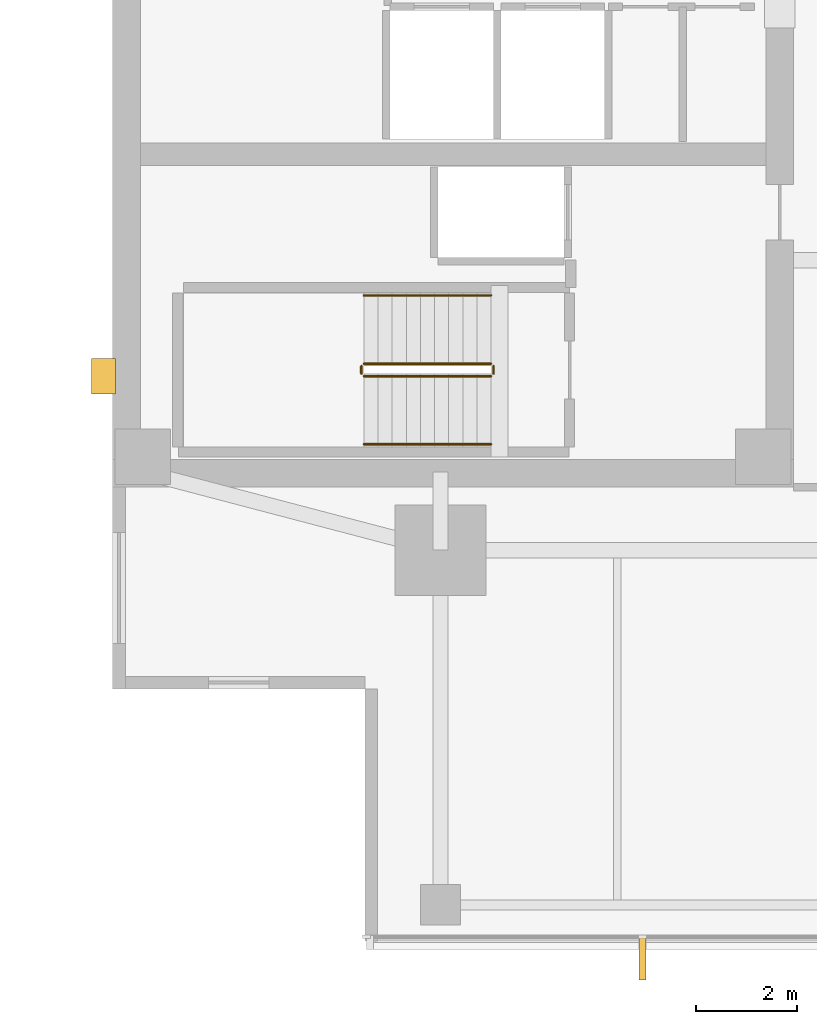
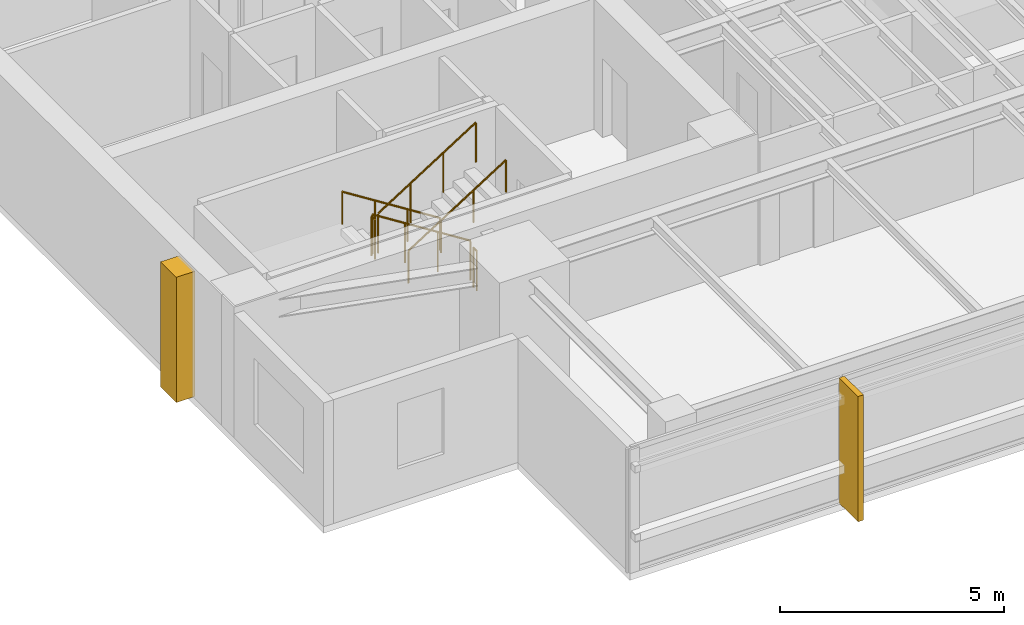
# One storey, part 11 of 14: 6 railings, 2 coverings.
"""IFC4 building model written with IfcOpenShell, lengths in metres."""

from ifc_helpers import new_model, si_unit, direction, frame, origin, origin_2d, place, context, subcontext, project, spatial, polyline, circle, outline, extrude, material, layer, layer_set, type_object, element, save


model = new_model("IFC4")

# Units and contexts
model_context = context("Model", 3, precision=1e-05, world=origin(), true_north=direction((0.0, 1.0)))
body_context = subcontext(model_context, "Body", "Model", "MODEL_VIEW")
ifc_project = project(units=[si_unit("LENGTHUNIT", "METRE"), si_unit("AREAUNIT", "SQUARE_METRE"), si_unit("VOLUMEUNIT", "CUBIC_METRE"), si_unit("PLANEANGLEUNIT", "RADIAN"), si_unit("MASSUNIT", "GRAM", prefix="KILO")], contexts=[model_context])

# Site, building, storey
site_placement = place(None, origin())
site = spatial("IfcSite", under=ifc_project, at=site_placement, CompositionType="ELEMENT")
building_placement = place(site_placement, origin())
building = spatial("IfcBuilding", under=site, at=building_placement, Name="Kinhvarn Gate Tower", CompositionType="ELEMENT")
storey_placement = place(building_placement, frame((0.0, 0.0, 205.800048828125)))
storey = spatial("IfcBuildingStorey", under=building, at=storey_placement, Name="L54", CompositionType="ELEMENT", Elevation=205.800048828125)

# Coverings
ifc_material_1 = material(Name="Fired architectural terracotta", Category="masonry")
ifc_layer_1 = layer(ifc_material_1, 0.139892578125)
ifc_layer_set_1 = layer_set([ifc_layer_1], Name="Fired architectural terracotta")
covering_type_1 = type_object("IfcCoveringType", Name="COV-FIN-850", PredefinedType="CLADDING", material=ifc_layer_set_1)
covering_1_placement = place(storey_placement, frame((0.0, 0.0, -0.02001953125)))
element("IfcCovering", 1, at=covering_1_placement, inside=storey, type_object=covering_type_1, Name="Vertical Terracotta Expressive Fin TFN-850 (L54)", PredefinedType="CLADDING", context=body_context, shape_type="SweptSolid", body=[
    extrude(outline(polyline([(14.929931640625, 5.080078125), (15.070068359375, 5.080078125), (15.070068359375, 4.22998046875), (14.929931640625, 4.22998046875), (14.929931640625, 5.080078125)])), origin(), (0.0, 0.0, 1.0), 3.409912109375),
])
ifc_material_2 = material(Name="Precast white architectural concrete C40/50", Category="concrete")
ifc_layer_2 = layer(ifc_material_2, 0.47998046875)
ifc_layer_set_2 = layer_set([ifc_layer_2], Name="Precast white architectural concrete C40/50")
covering_type_2 = type_object("IfcCoveringType", Name="COV-RIB-450", PredefinedType="CLADDING", material=ifc_layer_set_2)
covering_2_placement = place(storey_placement, frame((0.0, 0.0, -0.02001953125)))
element("IfcCovering", 2, at=covering_2_placement, inside=storey, type_object=covering_type_2, Name="West Core Sculptural Concrete Relief Rib CRB-450 (L54)", PredefinedType="CLADDING", context=body_context, shape_type="SweptSolid", body=[
    extrude(outline(polyline([(4.080078125, 15.85009765625), (4.56005859375, 15.85009765625), (4.56005859375, 16.550048828125), (4.080078125, 16.550048828125), (4.080078125, 15.85009765625)])), origin(), (0.0, 0.0, 1.0), 3.409912109375),
])

# Railings
ifc_material_3 = material(Name="Steel S355", Category="steel")
railing_type_1 = type_object("IfcRailingType", Name="RL-ST-GRD", PredefinedType="BALUSTRADE", material=ifc_material_3)
railing_1_placement = place(storey_placement, frame((12.0, 16.449951171875, 0.177490234375)))
element("IfcRailing", 3, at=railing_1_placement, inside=storey, type_object=railing_type_1, Name="L54 ST1 stair guard 1", PredefinedType="BALUSTRADE", context=body_context, shape_type="SweptSolid", body=[
    extrude(circle(Radius=0.02392578125, at=origin_2d()), frame((0.0, 0.0, 1.076171875), z_axis=(-0.84460694969, 0.0, 0.535386869969), x_axis=(0.0, -1.0, 0.0)), (0.0, 0.0, 1.0), 2.983642578125),
    extrude(circle(Radius=0.02099609375, at=origin_2d()), origin(), (0.0, 0.0, 1.0), 1.052001953125),
    extrude(circle(Radius=0.02099609375, at=origin_2d()), frame((-0.840087890625, 0.0, 0.532470703125)), (0.0, 0.0, 1.0), 1.052001953125),
    extrude(circle(Radius=0.02099609375, at=origin_2d()), frame((-1.679931640625, 0.0, 1.06494140625)), (0.0, 0.0, 1.0), 1.052001953125),
    extrude(circle(Radius=0.02099609375, at=origin_2d()), frame((-2.52001953125, 0.0, 1.597412109375)), (0.0, 0.0, 1.0), 1.052001953125),
])
railing_2_placement = place(storey_placement, frame((9.429931640625, 16.39990234375, 1.77490234375)))
element("IfcRailing", 4, at=railing_2_placement, inside=storey, type_object=railing_type_1, Name="L54 ST1 stair guard 2", PredefinedType="BALUSTRADE", context=body_context, shape_type="SweptSolid", body=[
    extrude(circle(Radius=0.02392578125, at=origin_2d()), frame((0.0, 0.0, 1.076171875), z_axis=(0.0, -1.0, 0.0), x_axis=(1.0, 0.0, 0.0)), (0.0, 0.0, 1.0), 0.14990234375),
    extrude(circle(Radius=0.02099609375, at=origin_2d()), origin(), (0.0, 0.0, 1.0), 1.052001953125),
    extrude(circle(Radius=0.02099609375, at=origin_2d()), frame((0.0, -0.14990234375, 0.0)), (0.0, 0.0, 1.0), 1.052001953125),
])
railing_3_placement = place(storey_placement, frame((9.47998046875, 16.199951171875, 1.952392578125)))
element("IfcRailing", 5, at=railing_3_placement, inside=storey, type_object=railing_type_1, Name="L54 ST1 stair guard 3", PredefinedType="BALUSTRADE", context=body_context, shape_type="SweptSolid", body=[
    extrude(circle(Radius=0.02392578125, at=origin_2d()), frame((0.0, 0.0, 1.076171875), z_axis=(0.84456994832, 0.0, 0.535445237532), x_axis=(0.0, 1.0, 0.0)), (0.0, 0.0, 1.0), 2.98388671875),
    extrude(circle(Radius=0.02099609375, at=origin_2d()), origin(), (0.0, 0.0, 1.0), 1.052001953125),
    extrude(circle(Radius=0.02099609375, at=origin_2d()), frame((0.840087890625, 0.0, 0.532470703125)), (0.0, 0.0, 1.0), 1.052001953125),
    extrude(circle(Radius=0.02099609375, at=origin_2d()), frame((1.679931640625, 0.0, 1.065185546875)), (0.0, 0.0, 1.0), 1.052001953125),
    extrude(circle(Radius=0.02099609375, at=origin_2d()), frame((2.52001953125, 0.0, 1.59765625)), (0.0, 0.0, 1.0), 1.052001953125),
])
railing_4_placement = place(storey_placement, frame((12.050048828125, 16.39990234375, 0.0)))
element("IfcRailing", 6, at=railing_4_placement, inside=storey, type_object=railing_type_1, Name="L54 ST1 stair guard 4", PredefinedType="BALUSTRADE", context=body_context, shape_type="SweptSolid", body=[
    extrude(circle(Radius=0.02392578125, at=origin_2d()), frame((0.0, 0.0, 1.076171875), z_axis=(0.0, -1.0, 0.0), x_axis=(1.0, 0.0, 0.0)), (0.0, 0.0, 1.0), 0.14990234375),
    extrude(circle(Radius=0.02099609375, at=origin_2d()), origin(), (0.0, 0.0, 1.0), 1.052001953125),
    extrude(circle(Radius=0.02099609375, at=origin_2d()), frame((0.0, -0.14990234375, 0.0)), (0.0, 0.0, 1.0), 1.052001953125),
])
railing_type_2 = type_object("IfcRailingType", Name="RL-ST-HND", PredefinedType="HANDRAIL", material=ifc_material_3)
railing_5_placement = place(storey_placement, frame((12.0, 17.800048828125, 0.177490234375)))
element("IfcRailing", 7, at=railing_5_placement, inside=storey, type_object=railing_type_2, Name="L54 ST1 stair handrail 1", PredefinedType="HANDRAIL", context=body_context, shape_type="SweptSolid", body=[
    extrude(circle(Radius=0.02392578125, at=origin_2d()), frame((0.0, 0.0, 0.8759765625), z_axis=(-0.84460694969, 0.0, 0.535386869969), x_axis=(0.0, -1.0, 0.0)), (0.0, 0.0, 1.0), 2.983642578125),
    extrude(circle(Radius=0.02099609375, at=origin_2d()), origin(), (0.0, 0.0, 1.0), 0.851806640625),
    extrude(circle(Radius=0.02099609375, at=origin_2d()), frame((-0.840087890625, 0.0, 0.532470703125)), (0.0, 0.0, 1.0), 0.851806640625),
    extrude(circle(Radius=0.02099609375, at=origin_2d()), frame((-1.679931640625, 0.0, 1.06494140625)), (0.0, 0.0, 1.0), 0.851806640625),
    extrude(circle(Radius=0.02099609375, at=origin_2d()), frame((-2.52001953125, 0.0, 1.597412109375)), (0.0, 0.0, 1.0), 0.851806640625),
])
railing_6_placement = place(storey_placement, frame((9.47998046875, 14.85009765625, 1.952392578125)))
element("IfcRailing", 8, at=railing_6_placement, inside=storey, type_object=railing_type_2, Name="L54 ST1 stair handrail 2", PredefinedType="HANDRAIL", context=body_context, shape_type="SweptSolid", body=[
    extrude(circle(Radius=0.02392578125, at=origin_2d()), frame((0.0, 0.0, 0.8759765625), z_axis=(0.84456994832, 0.0, 0.535445237532), x_axis=(0.0, 1.0, 0.0)), (0.0, 0.0, 1.0), 2.98388671875),
    extrude(circle(Radius=0.02099609375, at=origin_2d()), origin(), (0.0, 0.0, 1.0), 0.851806640625),
    extrude(circle(Radius=0.02099609375, at=origin_2d()), frame((0.840087890625, 0.0, 0.532470703125)), (0.0, 0.0, 1.0), 0.851806640625),
    extrude(circle(Radius=0.02099609375, at=origin_2d()), frame((1.679931640625, 0.0, 1.065185546875)), (0.0, 0.0, 1.0), 0.851806640625),
    extrude(circle(Radius=0.02099609375, at=origin_2d()), frame((2.52001953125, 0.0, 1.59765625)), (0.0, 0.0, 1.0), 0.851806640625),
])

save(model, "model.ifc")
